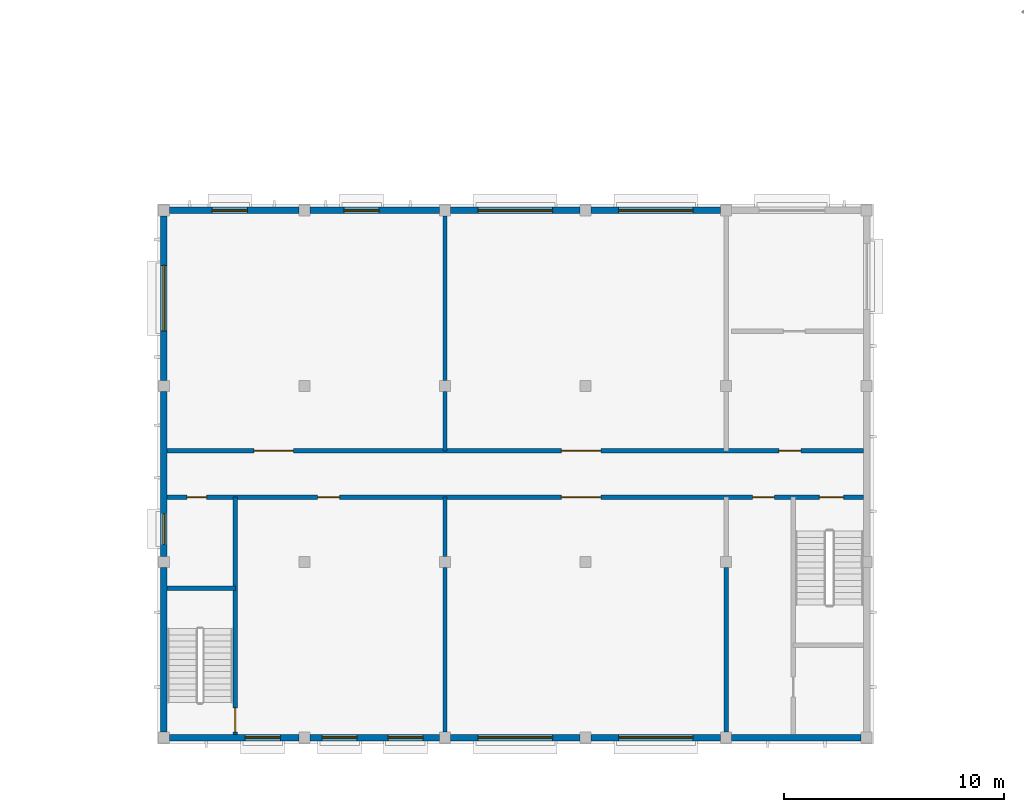
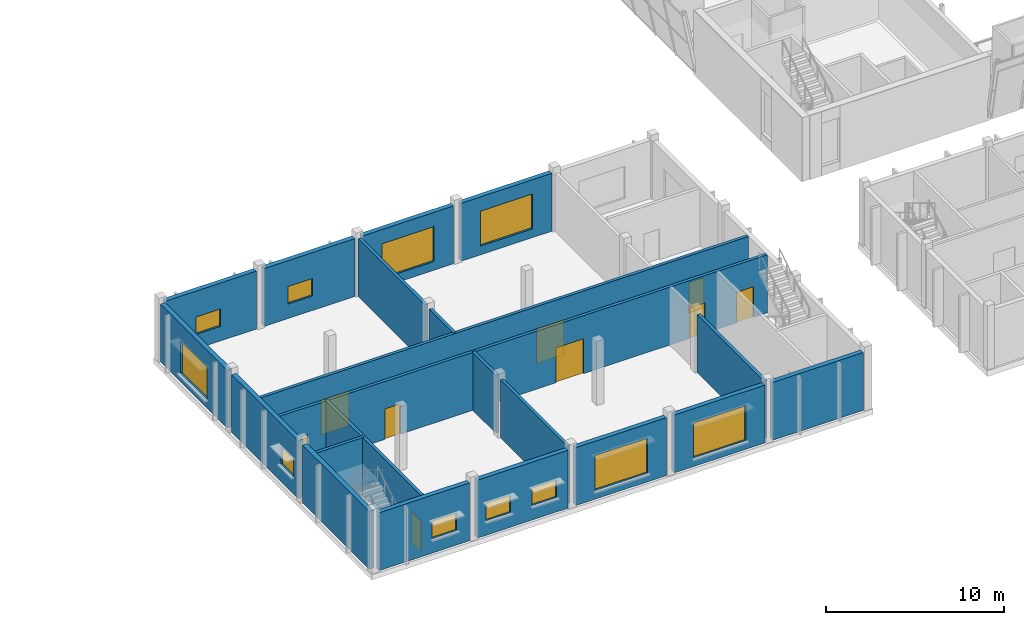
# One storey, part 59 of 115: 21 walls, 11 windows, 9 doors, 20 openings.
"""IFC4 building model written with IfcOpenShell, lengths in metres."""

import ifcopenshell
import ifcopenshell.guid

model = None  # the IFC model being written
_history = None  # IfcOwnerHistory: only IFC2X3 demands one
_inside = {}  # id of a spatial element -> (the spatial element, [elements in it])
_under = {}  # id of a project, library or spatial element -> (it, [spatial elements below it])
_declared = {}  # id of a project -> (the project, [libraries it declares])
_typed = {}  # id of a type object -> (the type object, [elements of that type])
_made_of = {}  # id of a material, layer set ... -> (it, [elements and type objects made of it])


def new_model(schema):
    """Start an empty IFC model of exactly this schema.

    Asked for "IFC4X3", IfcOpenShell would pick the latest addendum, in which some entities
    have other attributes; the version numbers below select the first issue.
    IFC2X3 requires an IfcOwnerHistory on every rooted entity: one is made here for all.
    """
    global model, _history
    if schema == "IFC4X3":
        model = ifcopenshell.file(schema_version=(4, 3, 0, 0))
    else:
        model = ifcopenshell.file(schema=schema)
    _inside.clear()
    _under.clear()
    _declared.clear()
    _typed.clear()
    _made_of.clear()
    _history = None
    if model.schema == "IFC2X3":
        org = make("IfcOrganization", Name="unknown")
        user = make(
            "IfcPersonAndOrganization",
            ThePerson=make("IfcPerson", FamilyName="unknown"),
            TheOrganization=org,
        )
        app = make(
            "IfcApplication",
            ApplicationDeveloper=org,
            Version="unknown",
            ApplicationFullName="unknown",
            ApplicationIdentifier="unknown",
        )
        _history = make(
            "IfcOwnerHistory",
            OwningUser=user,
            OwningApplication=app,
            ChangeAction="ADDED",
            CreationDate=0,
        )
    return model


def make(cls, **values):
    """One entity of the class cls with the attributes given. An attribute that is None is left unset."""
    return model.create_entity(
        cls, **{name: value for name, value in values.items() if value is not None}
    )


def rooted(cls, **values):
    """An entity with a GlobalId (a new one), such as an element, a storey or a relation."""
    return make(cls, GlobalId=ifcopenshell.guid.new(), OwnerHistory=_history, **values)


def si_unit(unit_type, name, prefix=None):
    """IfcSIUnit, for example si_unit("LENGTHUNIT", "METRE", prefix="MILLI")."""
    return make("IfcSIUnit", UnitType=unit_type, Prefix=prefix, Name=name)


def assignment(units):
    """IfcUnitAssignment: the units of a project."""
    return None if units is None else make("IfcUnitAssignment", Units=units)


def point(xyz):
    """IfcCartesianPoint."""
    return None if xyz is None else make("IfcCartesianPoint", Coordinates=xyz)


def direction(xyz):
    """IfcDirection."""
    return None if xyz is None else make("IfcDirection", DirectionRatios=xyz)


def frame(location, z_axis=None, x_axis=None):
    """IfcAxis2Placement3D, a coordinate frame: its origin and axes. An axis left out is left unset."""
    return make(
        "IfcAxis2Placement3D",
        Location=point(location),
        Axis=direction(z_axis),
        RefDirection=direction(x_axis),
    )


def frame_2d(location, x_axis=None):
    """IfcAxis2Placement2D, a coordinate frame in the plane: its origin and x axis."""
    return make(
        "IfcAxis2Placement2D", Location=point(location), RefDirection=direction(x_axis)
    )


def origin():
    """The frame at (0, 0, 0) with its axes left unset."""
    return frame((0.0, 0.0, 0.0))


def place(relative_to, where):
    """IfcLocalPlacement: puts the frame where relative to a parent placement (None: the world)."""
    return make(
        "IfcLocalPlacement", PlacementRelTo=relative_to, RelativePlacement=where
    )


def context(
    kind, dimensions, precision=None, world=None, true_north=None, identifier=None
):
    """IfcGeometricRepresentationContext, for example the 3D "Model" context."""
    return make(
        "IfcGeometricRepresentationContext",
        ContextIdentifier=identifier,
        ContextType=kind,
        CoordinateSpaceDimension=dimensions,
        Precision=precision,
        WorldCoordinateSystem=world,
        TrueNorth=true_north,
    )


def subcontext(parent, identifier, kind, view, scale=None):
    """IfcGeometricRepresentationSubContext, for example "Body" below "Model"."""
    return make(
        "IfcGeometricRepresentationSubContext",
        ContextIdentifier=identifier,
        ContextType=kind,
        ParentContext=parent,
        TargetScale=scale,
        TargetView=view,
    )


def project(units=None, contexts=None):
    """IfcProject with its units and contexts."""
    return rooted(
        "IfcProject",
        Name="project",
        RepresentationContexts=contexts,
        UnitsInContext=assignment(units),
    )


def spatial(cls, under=None, at=None, **own):
    """A site, building, storey or space (cls), placed at a placement, below another one or the project."""
    s = rooted(cls, ObjectPlacement=at, **own)
    if under is not None:
        _under.setdefault(under.id(), (under, []))[1].append(s)
    return s


def profile(cls, at=None, kind="AREA", **sizes):
    """A parametric profile (cls). Its sizes go by their IFC names, for example OverallWidth=200.0."""
    return make(cls, ProfileType=kind, Position=at, **sizes)


def rectangle(**sizes):
    """IfcRectangleProfileDef."""
    return profile("IfcRectangleProfileDef", **sizes)


def extrude(swept, where, along, depth):
    """IfcExtrudedAreaSolid: the profile swept, set in the frame where, extruded along a direction by depth."""
    return make(
        "IfcExtrudedAreaSolid",
        SweptArea=swept,
        Position=where,
        ExtrudedDirection=direction(along),
        Depth=depth,
    )


def shape(context_of_items, identifier, shape_type, items):
    """IfcShapeRepresentation: the items that make up one representation, for example the "Body"."""
    return make(
        "IfcShapeRepresentation",
        ContextOfItems=context_of_items,
        RepresentationIdentifier=identifier,
        RepresentationType=shape_type,
        Items=items,
    )


def material(Name=None, Category=None):
    """IfcMaterial."""
    return make("IfcMaterial", Name=Name, Category=Category)


def layer(
    of_material, thickness, ventilated=None, Name=None, Category=None, Priority=None
):
    """IfcMaterialLayer: one layer of a wall or slab, of a material (None: an air gap)."""
    return make(
        "IfcMaterialLayer",
        Material=of_material,
        LayerThickness=thickness,
        IsVentilated=ventilated,
        Name=Name,
        Category=Category,
        Priority=Priority,
    )


def layer_set(layers, Name=None):
    """IfcMaterialLayerSet."""
    return make("IfcMaterialLayerSet", MaterialLayers=layers, LayerSetName=Name)


def made_of(thing, what):
    """Note that an element or type object is made of a material, layer set ...; save() writes the relation."""
    if what is not None:
        _made_of.setdefault(what.id(), (what, []))[1].append(thing)
    return thing


def type_object(cls, material=None, **own):
    """A type object (cls), such as IfcWallType, which elements share."""
    return made_of(rooted(cls, **own), material)


def element(
    cls,
    number,
    at=None,
    inside=None,
    cuts=None,
    type_object=None,
    material=None,
    context=None,
    identifier="Body",
    shape_type=None,
    held_by="IfcProductDefinitionShape",
    body=None,
    shapes=None,
    **own,
):
    """One element of the class cls, such as IfcWall. Its Tag is "e" and its number.

    at: its placement. inside: the storey or other place that contains it. cuts: it is an
    opening in that element (IfcRelVoidsElement). A single representation is given by context,
    identifier, shape_type and body (its items); several are given by shapes. held_by: the class
    of the entity that holds the representations. save() writes the other relations.
    """
    e = rooted(cls, Tag="e%d" % number, ObjectPlacement=at, **own)
    if body is not None:
        shapes = [shape(context, identifier, shape_type, body)]
    if shapes is not None:
        e.Representation = make(held_by, Representations=shapes)
    if inside is not None:
        _inside.setdefault(inside.id(), (inside, []))[1].append(e)
    if cuts is not None:
        rooted(
            "IfcRelVoidsElement", RelatingBuildingElement=cuts, RelatedOpeningElement=e
        )
    if type_object is not None:
        _typed.setdefault(type_object.id(), (type_object, []))[1].append(e)
    return made_of(e, material)


def fill(opening, filler):
    """IfcRelFillsElement: the door or window that sits in an opening."""
    return rooted(
        "IfcRelFillsElement",
        RelatingOpeningElement=opening,
        RelatedBuildingElement=filler,
    )


def aggregate(whole, parts):
    """IfcRelAggregates: a whole, such as a stair, and the parts it consists of."""
    return rooted("IfcRelAggregates", RelatingObject=whole, RelatedObjects=parts)


def save(model, path):
    """Write the relations noted so far, then the file.

    IfcRelAggregates (storeys below a building ...), IfcRelContainedInSpatialStructure (elements
    in a storey), IfcRelDefinesByType, IfcRelAssociatesMaterial and IfcRelDeclares: one each for
    every whole, place, type object, material and project.
    """
    for whole, parts in _under.values():
        aggregate(whole, parts)
    for where, things in _inside.values():
        rooted(
            "IfcRelContainedInSpatialStructure",
            RelatedElements=things,
            RelatingStructure=where,
        )
    for kind, things in _typed.values():
        rooted("IfcRelDefinesByType", RelatedObjects=things, RelatingType=kind)
    for what, things in _made_of.values():
        rooted("IfcRelAssociatesMaterial", RelatedObjects=things, RelatingMaterial=what)
    for by, libraries in _declared.values():
        rooted("IfcRelDeclares", RelatingContext=by, RelatedDefinitions=libraries)
    model.write(path)


model = new_model("IFC4")

# Units and contexts
model_context = context("Model", 3, precision=1e-05, world=origin(), true_north=direction((0.0, 1.0)))
body_context = subcontext(model_context, "Body", "Model", "MODEL_VIEW")
ifc_project = project(units=[si_unit("LENGTHUNIT", "METRE"), si_unit("AREAUNIT", "SQUARE_METRE"), si_unit("VOLUMEUNIT", "CUBIC_METRE"), si_unit("PLANEANGLEUNIT", "RADIAN"), si_unit("MASSUNIT", "GRAM", prefix="KILO")], contexts=[model_context])

# Site, building, storey
site_placement = place(None, origin())
site = spatial("IfcSite", under=ifc_project, at=site_placement, CompositionType="ELEMENT")
building_placement = place(site_placement, origin())
building = spatial("IfcBuilding", under=site, at=building_placement, Name="Windward Yard Aquatics Centre", CompositionType="ELEMENT")
storey_placement = place(building_placement, frame((0.0, 0.0, 5.0)))
storey = spatial("IfcBuildingStorey", under=building, at=storey_placement, Name="L01", CompositionType="ELEMENT", Elevation=5.0)

# Wall, openings, doors
ifc_material_1 = material(Name="Concrete masonry unit plastered", Category="masonry")
ifc_layer_1 = layer(ifc_material_1, 0.199951171875)
ifc_layer_set_1 = layer_set([ifc_layer_1], Name="P masonry partition 200")
wall_type_1 = type_object("IfcWallType", Name="P masonry partition 200", PredefinedType="PARTITIONING", material=ifc_layer_set_1)
wall_1_placement = place(storey_placement, frame((12.14990234375, 15.949951171875, 0.0), z_axis=(0.0, 0.0, 1.0), x_axis=(1.0, 0.0, 0.0)))
wall_1 = element("IfcWall", 1, at=wall_1_placement, inside=storey, type_object=wall_type_1, Name="P.W.L01.H1.1", PredefinedType="PARTITIONING", context=body_context, shape_type="SweptSolid", body=[
    extrude(rectangle(XDim=31.7001953125, YDim=0.199951171875, at=frame_2d((15.85009765625, 0.0))), origin(), (0.0, 0.0, 1.0), 3.97998046875),
])
opening_1_placement = place(wall_1_placement, frame((0.89990234375, 0.0, 0.0)))
opening_1 = element("IfcOpeningElement", 2, at=opening_1_placement, cuts=wall_1, Name="Opening P1001", PredefinedType="OPENING", context=body_context, shape_type="SweptSolid", body=[
    extrude(rectangle(XDim=0.89990234375, YDim=2.10009765625, at=frame_2d((0.449951171875, 1.050048828125))), frame((0.0, 0.10986328125, 0.0), z_axis=(0.0, -1.0, 0.0), x_axis=(1.0, 0.0, 0.0)), (0.0, 0.0, 1.0), 0.219970703125),
])
opening_2_placement = place(wall_1_placement, frame((6.85009765625, 0.0, 0.0)))
opening_2 = element("IfcOpeningElement", 3, at=opening_2_placement, cuts=wall_1, Name="Opening P1002", PredefinedType="OPENING", context=body_context, shape_type="SweptSolid", body=[
    extrude(rectangle(XDim=1.0, YDim=2.10009765625, at=frame_2d((0.5, 1.050048828125))), frame((0.0, 0.10986328125, 0.0), z_axis=(0.0, -1.0, 0.0), x_axis=(1.0, 0.0, 0.0)), (0.0, 0.0, 1.0), 0.219970703125),
])
opening_3_placement = place(wall_1_placement, frame((17.949951171875, 0.0, 0.0)))
opening_3 = element("IfcOpeningElement", 4, at=opening_3_placement, cuts=wall_1, Name="Opening P1003", PredefinedType="OPENING", context=body_context, shape_type="SweptSolid", body=[
    extrude(rectangle(XDim=1.800048828125, YDim=2.39990234375, at=frame_2d((0.89990234375, 1.199951171875))), frame((0.0, 0.10986328125, 0.0), z_axis=(0.0, -1.0, 0.0), x_axis=(1.0, 0.0, 0.0)), (0.0, 0.0, 1.0), 0.219970703125),
])
opening_4_placement = place(wall_1_placement, frame((26.64990234375, 0.0, 0.0)))
opening_4 = element("IfcOpeningElement", 5, at=opening_4_placement, cuts=wall_1, Name="Opening P1004", PredefinedType="OPENING", context=body_context, shape_type="SweptSolid", body=[
    extrude(rectangle(XDim=1.0, YDim=2.10009765625, at=frame_2d((0.5, 1.050048828125))), frame((0.0, 0.10986328125, 0.0), z_axis=(0.0, -1.0, 0.0), x_axis=(1.0, 0.0, 0.0)), (0.0, 0.0, 1.0), 0.219970703125),
])
opening_5_placement = place(wall_1_placement, frame((29.699951171875, 0.0, 0.0)))
opening_5 = element("IfcOpeningElement", 6, at=opening_5_placement, cuts=wall_1, Name="Opening P1005", PredefinedType="OPENING", context=body_context, shape_type="SweptSolid", body=[
    extrude(rectangle(XDim=1.10009765625, YDim=2.10009765625, at=frame_2d((0.550048828125, 1.050048828125))), frame((0.0, 0.10986328125, 0.0), z_axis=(0.0, -1.0, 0.0), x_axis=(1.0, 0.0, 0.0)), (0.0, 0.0, 1.0), 0.219970703125),
])
ifc_material_2 = material(Name="Timber door leaf in steel frame", Category="steel")
door_type_1 = type_object("IfcDoorType", Name="P door 1000X2100 FD60", OperationType="SINGLE_SWING_LEFT", PredefinedType="DOOR", material=ifc_material_2)
door_1_placement = place(opening_2_placement, origin())
door_1 = element("IfcDoor", 7, at=door_1_placement, inside=storey, type_object=door_type_1, Name="Door P1002", OperationType="SINGLE_SWING_LEFT", OverallHeight=2.10009765625, OverallWidth=1.0, PredefinedType="DOOR", context=body_context, shape_type="SweptSolid", body=[
    extrude(rectangle(XDim=1.0, YDim=2.10009765625, at=frame_2d((0.5, 1.050048828125))), frame((0.0, 0.02490234375, 0.0), z_axis=(0.0, -1.0, 0.0), x_axis=(1.0, 0.0, 0.0)), (0.0, 0.0, 1.0), 0.050048828125),
])
fill(opening_2, door_1)
door_2_placement = place(opening_4_placement, origin())
door_2 = element("IfcDoor", 8, at=door_2_placement, inside=storey, type_object=door_type_1, Name="Door P1004", OperationType="SINGLE_SWING_LEFT", OverallHeight=2.10009765625, OverallWidth=1.0, PredefinedType="DOOR", context=body_context, shape_type="SweptSolid", body=[
    extrude(rectangle(XDim=1.0, YDim=2.10009765625, at=frame_2d((0.5, 1.050048828125))), frame((0.0, 0.02490234375, 0.0), z_axis=(0.0, -1.0, 0.0), x_axis=(1.0, 0.0, 0.0)), (0.0, 0.0, 1.0), 0.050048828125),
])
fill(opening_4, door_2)
door_type_2 = type_object("IfcDoorType", Name="P door 900X2100 FD60", OperationType="SINGLE_SWING_LEFT", PredefinedType="DOOR", material=ifc_material_2)
door_3_placement = place(opening_1_placement, origin())
door_3 = element("IfcDoor", 9, at=door_3_placement, inside=storey, type_object=door_type_2, Name="Door P1001", OperationType="SINGLE_SWING_LEFT", OverallHeight=2.10009765625, OverallWidth=0.89990234375, PredefinedType="DOOR", context=body_context, shape_type="SweptSolid", body=[
    extrude(rectangle(XDim=0.89990234375, YDim=2.10009765625, at=frame_2d((0.449951171875, 1.050048828125))), frame((0.0, 0.02490234375, 0.0), z_axis=(0.0, -1.0, 0.0), x_axis=(1.0, 0.0, 0.0)), (0.0, 0.0, 1.0), 0.050048828125),
])
fill(opening_1, door_3)
door_type_3 = type_object("IfcDoorType", Name="P double door 1800X2400 FD60", OperationType="DOUBLE_DOOR_SINGLE_SWING", PredefinedType="DOOR", material=ifc_material_2)
door_4_placement = place(opening_3_placement, origin())
door_4 = element("IfcDoor", 10, at=door_4_placement, inside=storey, type_object=door_type_3, Name="Door P1003", OperationType="DOUBLE_DOOR_SINGLE_SWING", OverallHeight=2.39990234375, OverallWidth=1.800048828125, PredefinedType="DOOR", context=body_context, shape_type="SweptSolid", body=[
    extrude(rectangle(XDim=1.800048828125, YDim=2.39990234375, at=frame_2d((0.89990234375, 1.199951171875))), frame((0.0, 0.02490234375, 0.0), z_axis=(0.0, -1.0, 0.0), x_axis=(1.0, 0.0, 0.0)), (0.0, 0.0, 1.0), 0.050048828125),
])
fill(opening_3, door_4)
ifc_material_3 = material(Name="Steel door leaf in steel frame", Category="steel")
door_type_4 = type_object("IfcDoorType", Name="P steel door 1100X2100 FD60", OperationType="SINGLE_SWING_LEFT", PredefinedType="DOOR", material=ifc_material_3)
door_5_placement = place(opening_5_placement, origin())
door_5 = element("IfcDoor", 11, at=door_5_placement, inside=storey, type_object=door_type_4, Name="Door P1005", OperationType="SINGLE_SWING_LEFT", OverallHeight=2.10009765625, OverallWidth=1.10009765625, PredefinedType="DOOR", context=body_context, shape_type="SweptSolid", body=[
    extrude(rectangle(XDim=1.10009765625, YDim=2.10009765625, at=frame_2d((0.550048828125, 1.050048828125))), frame((0.0, 0.02490234375, 0.0), z_axis=(0.0, -1.0, 0.0), x_axis=(1.0, 0.0, 0.0)), (0.0, 0.0, 1.0), 0.050048828125),
])
fill(opening_5, door_5)

wall_2_placement = place(storey_placement, frame((12.14990234375, 18.050048828125, 0.0), z_axis=(0.0, 0.0, 1.0), x_axis=(1.0, 0.0, 0.0)))
wall_2 = element("IfcWall", 12, at=wall_2_placement, inside=storey, type_object=wall_type_1, Name="P.W.L01.H2.1", PredefinedType="PARTITIONING", context=body_context, shape_type="SweptSolid", body=[
    extrude(rectangle(XDim=31.7001953125, YDim=0.199951171875, at=frame_2d((15.85009765625, 0.0))), origin(), (0.0, 0.0, 1.0), 3.97998046875),
])
opening_6_placement = place(wall_2_placement, frame((3.949951171875, 0.0, 0.0)))
opening_6 = element("IfcOpeningElement", 13, at=opening_6_placement, cuts=wall_2, Name="Opening P1006", PredefinedType="OPENING", context=body_context, shape_type="SweptSolid", body=[
    extrude(rectangle(XDim=1.800048828125, YDim=2.39990234375, at=frame_2d((0.89990234375, 1.199951171875))), frame((0.0, 0.10986328125, 0.0), z_axis=(0.0, -1.0, 0.0), x_axis=(1.0, 0.0, 0.0)), (0.0, 0.0, 1.0), 0.219970703125),
])
opening_7_placement = place(wall_2_placement, frame((17.949951171875, 0.0, 0.0)))
opening_7 = element("IfcOpeningElement", 14, at=opening_7_placement, cuts=wall_2, Name="Opening P1007", PredefinedType="OPENING", context=body_context, shape_type="SweptSolid", body=[
    extrude(rectangle(XDim=1.800048828125, YDim=2.39990234375, at=frame_2d((0.89990234375, 1.199951171875))), frame((0.0, 0.10986328125, 0.0), z_axis=(0.0, -1.0, 0.0), x_axis=(1.0, 0.0, 0.0)), (0.0, 0.0, 1.0), 0.219970703125),
])
opening_8_placement = place(wall_2_placement, frame((27.85009765625, 0.0, 0.0)))
opening_8 = element("IfcOpeningElement", 15, at=opening_8_placement, cuts=wall_2, Name="Opening P1008", PredefinedType="OPENING", context=body_context, shape_type="SweptSolid", body=[
    extrude(rectangle(XDim=1.0, YDim=2.10009765625, at=frame_2d((0.5, 1.050048828125))), frame((0.0, 0.10986328125, 0.0), z_axis=(0.0, -1.0, 0.0), x_axis=(1.0, 0.0, 0.0)), (0.0, 0.0, 1.0), 0.219970703125),
])
door_6_placement = place(opening_8_placement, origin())
door_6 = element("IfcDoor", 16, at=door_6_placement, inside=storey, type_object=door_type_1, Name="Door P1008", OperationType="SINGLE_SWING_LEFT", OverallHeight=2.10009765625, OverallWidth=1.0, PredefinedType="DOOR", context=body_context, shape_type="SweptSolid", body=[
    extrude(rectangle(XDim=1.0, YDim=2.10009765625, at=frame_2d((0.5, 1.050048828125))), frame((0.0, 0.02490234375, 0.0), z_axis=(0.0, -1.0, 0.0), x_axis=(1.0, 0.0, 0.0)), (0.0, 0.0, 1.0), 0.050048828125),
])
fill(opening_8, door_6)
door_7_placement = place(opening_6_placement, origin())
door_7 = element("IfcDoor", 17, at=door_7_placement, inside=storey, type_object=door_type_3, Name="Door P1006", OperationType="DOUBLE_DOOR_SINGLE_SWING", OverallHeight=2.39990234375, OverallWidth=1.800048828125, PredefinedType="DOOR", context=body_context, shape_type="SweptSolid", body=[
    extrude(rectangle(XDim=1.800048828125, YDim=2.39990234375, at=frame_2d((0.89990234375, 1.199951171875))), frame((0.0, 0.02490234375, 0.0), z_axis=(0.0, -1.0, 0.0), x_axis=(1.0, 0.0, 0.0)), (0.0, 0.0, 1.0), 0.050048828125),
])
fill(opening_6, door_7)
door_8_placement = place(opening_7_placement, origin())
door_8 = element("IfcDoor", 18, at=door_8_placement, inside=storey, type_object=door_type_3, Name="Door P1007", OperationType="DOUBLE_DOOR_SINGLE_SWING", OverallHeight=2.39990234375, OverallWidth=1.800048828125, PredefinedType="DOOR", context=body_context, shape_type="SweptSolid", body=[
    extrude(rectangle(XDim=1.800048828125, YDim=2.39990234375, at=frame_2d((0.89990234375, 1.199951171875))), frame((0.0, 0.02490234375, 0.0), z_axis=(0.0, -1.0, 0.0), x_axis=(1.0, 0.0, 0.0)), (0.0, 0.0, 1.0), 0.050048828125),
])
fill(opening_7, door_8)

# Walls
wall_3_placement = place(storey_placement, frame((24.800048828125, 5.25, 0.0), z_axis=(0.0, 0.0, 1.0), x_axis=(0.0, 1.0, 0.0)))
element("IfcWall", 19, at=wall_3_placement, inside=storey, type_object=wall_type_1, Name="P.W.L01.V2.1", PredefinedType="PARTITIONING", context=body_context, shape_type="SweptSolid", body=[
    extrude(rectangle(XDim=7.5, YDim=0.199951171875, at=frame_2d((3.75, 0.0))), origin(), (0.0, 0.0, 1.0), 3.97998046875),
])
wall_4_placement = place(storey_placement, frame((24.800048828125, 13.25, 0.0), z_axis=(0.0, 0.0, 1.0), x_axis=(0.0, 1.0, 0.0)))
element("IfcWall", 20, at=wall_4_placement, inside=storey, type_object=wall_type_1, Name="P.W.L01.V2.2", PredefinedType="PARTITIONING", context=body_context, shape_type="SweptSolid", body=[
    extrude(rectangle(XDim=2.699951171875, YDim=0.199951171875, at=frame_2d((1.35009765625, 0.0))), origin(), (0.0, 0.0, 1.0), 3.97998046875),
])
wall_5_placement = place(storey_placement, frame((37.60009765625, 5.25, 0.0), z_axis=(0.0, 0.0, 1.0), x_axis=(0.0, 1.0, 0.0)))
element("IfcWall", 21, at=wall_5_placement, inside=storey, type_object=wall_type_1, Name="P.W.L01.V3.1", PredefinedType="PARTITIONING", context=body_context, shape_type="SweptSolid", body=[
    extrude(rectangle(XDim=7.5, YDim=0.199951171875, at=frame_2d((3.75, 0.0))), origin(), (0.0, 0.0, 1.0), 3.97998046875),
])
wall_6_placement = place(storey_placement, frame((24.800048828125, 18.050048828125, 0.0), z_axis=(0.0, 0.0, 1.0), x_axis=(0.0, 1.0, 0.0)))
element("IfcWall", 22, at=wall_6_placement, inside=storey, type_object=wall_type_1, Name="P.W.L01.V5.1", PredefinedType="PARTITIONING", context=body_context, shape_type="SweptSolid", body=[
    extrude(rectangle(XDim=2.699951171875, YDim=0.199951171875, at=frame_2d((1.35009765625, 0.0))), origin(), (0.0, 0.0, 1.0), 3.97998046875),
])
wall_7_placement = place(storey_placement, frame((24.800048828125, 21.25, 0.0), z_axis=(0.0, 0.0, 1.0), x_axis=(0.0, 1.0, 0.0)))
element("IfcWall", 23, at=wall_7_placement, inside=storey, type_object=wall_type_1, Name="P.W.L01.V5.2", PredefinedType="PARTITIONING", context=body_context, shape_type="SweptSolid", body=[
    extrude(rectangle(XDim=7.5, YDim=0.199951171875, at=frame_2d((3.75, 0.0))), origin(), (0.0, 0.0, 1.0), 3.97998046875),
])

# Wall, opening, window
ifc_material_4 = material(Name="Concrete C35/45", Category="concrete")
ifc_layer_2 = layer(ifc_material_4, 0.300048828125)
ifc_layer_set_2 = layer_set([ifc_layer_2], Name="P plant external wall 300")
wall_type_2 = type_object("IfcWallType", Name="P plant external wall 300", PredefinedType="SOLIDWALL", material=ifc_layer_set_2)
wall_8_placement = place(storey_placement, frame((12.25, 5.0, 0.0), z_axis=(0.0, 0.0, 1.0), x_axis=(1.0, 0.0, 0.0)))
wall_8 = element("IfcWall", 24, at=wall_8_placement, inside=storey, type_object=wall_type_2, Name="P.W.L01.S1", PredefinedType="SOLIDWALL", context=body_context, shape_type="SweptSolid", body=[
    extrude(rectangle(XDim=5.89990234375, YDim=0.300048828125, at=frame_2d((2.949951171875, 0.0))), origin(), (0.0, 0.0, 1.0), 3.97998046875),
])
opening_9_placement = place(wall_8_placement, frame((3.449951171875, 0.0, 1.0)))
opening_9 = element("IfcOpeningElement", 25, at=opening_9_placement, cuts=wall_8, Name="Opening PW1009", PredefinedType="OPENING", context=body_context, shape_type="SweptSolid", body=[
    extrude(rectangle(XDim=1.60009765625, YDim=1.199951171875, at=frame_2d((0.800048828125, 0.60009765625))), frame((0.0, 0.16015625, 0.0), z_axis=(0.0, -1.0, 0.0), x_axis=(1.0, 0.0, 0.0)), (0.0, 0.0, 1.0), 0.320068359375),
])
ifc_material_5 = material(Name="Aluminium framed double glazing", Category="aluminium")
window_type_1 = type_object("IfcWindowType", Name="P window 1600X1200", PartitioningType="SINGLE_PANEL", PredefinedType="WINDOW", material=ifc_material_5)
window_1_placement = place(opening_9_placement, origin())
window_1 = element("IfcWindow", 26, at=window_1_placement, inside=storey, type_object=window_type_1, Name="Window PW1009", OverallHeight=1.199951171875, OverallWidth=1.60009765625, PartitioningType="SINGLE_PANEL", PredefinedType="WINDOW", context=body_context, shape_type="SweptSolid", body=[
    extrude(rectangle(XDim=1.60009765625, YDim=1.199951171875, at=frame_2d((0.800048828125, 0.60009765625))), frame((0.0, 0.030029296875, 0.0), z_axis=(0.0, -1.0, 0.0), x_axis=(1.0, 0.0, 0.0)), (0.0, 0.0, 1.0), 0.06005859375),
])
fill(opening_9, window_1)

# Wall, openings, windows
wall_9_placement = place(storey_placement, frame((18.64990234375, 5.0, 0.0), z_axis=(0.0, 0.0, 1.0), x_axis=(1.0, 0.0, 0.0)))
wall_9 = element("IfcWall", 27, at=wall_9_placement, inside=storey, type_object=wall_type_2, Name="P.W.L01.S2", PredefinedType="SOLIDWALL", context=body_context, shape_type="SweptSolid", body=[
    extrude(rectangle(XDim=5.900146484375, YDim=0.300048828125, at=frame_2d((2.9501953125, 0.0))), origin(), (0.0, 0.0, 1.0), 3.97998046875),
])
opening_10_placement = place(wall_9_placement, frame((0.550048828125, 0.0, 1.0)))
opening_10 = element("IfcOpeningElement", 28, at=opening_10_placement, cuts=wall_9, Name="Opening PW1010", PredefinedType="OPENING", context=body_context, shape_type="SweptSolid", body=[
    extrude(rectangle(XDim=1.60009765625, YDim=1.199951171875, at=frame_2d((0.800048828125, 0.60009765625))), frame((0.0, 0.16015625, 0.0), z_axis=(0.0, -1.0, 0.0), x_axis=(1.0, 0.0, 0.0)), (0.0, 0.0, 1.0), 0.320068359375),
])
opening_11_placement = place(wall_9_placement, frame((3.550048828125, 0.0, 1.0)))
opening_11 = element("IfcOpeningElement", 29, at=opening_11_placement, cuts=wall_9, Name="Opening PW1011", PredefinedType="OPENING", context=body_context, shape_type="SweptSolid", body=[
    extrude(rectangle(XDim=1.60009765625, YDim=1.199951171875, at=frame_2d((0.800048828125, 0.60009765625))), frame((0.0, 0.16015625, 0.0), z_axis=(0.0, -1.0, 0.0), x_axis=(1.0, 0.0, 0.0)), (0.0, 0.0, 1.0), 0.320068359375),
])
window_2_placement = place(opening_10_placement, origin())
window_2 = element("IfcWindow", 30, at=window_2_placement, inside=storey, type_object=window_type_1, Name="Window PW1010", OverallHeight=1.199951171875, OverallWidth=1.60009765625, PartitioningType="SINGLE_PANEL", PredefinedType="WINDOW", context=body_context, shape_type="SweptSolid", body=[
    extrude(rectangle(XDim=1.60009765625, YDim=1.199951171875, at=frame_2d((0.800048828125, 0.60009765625))), frame((0.0, 0.030029296875, 0.0), z_axis=(0.0, -1.0, 0.0), x_axis=(1.0, 0.0, 0.0)), (0.0, 0.0, 1.0), 0.06005859375),
])
fill(opening_10, window_2)
window_3_placement = place(opening_11_placement, origin())
window_3 = element("IfcWindow", 31, at=window_3_placement, inside=storey, type_object=window_type_1, Name="Window PW1011", OverallHeight=1.199951171875, OverallWidth=1.60009765625, PartitioningType="SINGLE_PANEL", PredefinedType="WINDOW", context=body_context, shape_type="SweptSolid", body=[
    extrude(rectangle(XDim=1.60009765625, YDim=1.199951171875, at=frame_2d((0.800048828125, 0.60009765625))), frame((0.0, 0.030029296875, 0.0), z_axis=(0.0, -1.0, 0.0), x_axis=(1.0, 0.0, 0.0)), (0.0, 0.0, 1.0), 0.06005859375),
])
fill(opening_11, window_3)

# Wall, opening, window
wall_10_placement = place(storey_placement, frame((25.050048828125, 5.0, 0.0), z_axis=(0.0, 0.0, 1.0), x_axis=(1.0, 0.0, 0.0)))
wall_10 = element("IfcWall", 32, at=wall_10_placement, inside=storey, type_object=wall_type_2, Name="P.W.L01.S3", PredefinedType="SOLIDWALL", context=body_context, shape_type="SweptSolid", body=[
    extrude(rectangle(XDim=5.89990234375, YDim=0.300048828125, at=frame_2d((2.949951171875, 0.0))), origin(), (0.0, 0.0, 1.0), 3.97998046875),
])
opening_12_placement = place(wall_10_placement, frame((1.25, 0.0, 0.60009765625)))
opening_12 = element("IfcOpeningElement", 33, at=opening_12_placement, cuts=wall_10, Name="Opening PW1001", PredefinedType="OPENING", context=body_context, shape_type="SweptSolid", body=[
    extrude(rectangle(XDim=3.39990234375, YDim=2.39990234375, at=frame_2d((1.699951171875, 1.199951171875))), frame((0.0, 0.16015625, 0.0), z_axis=(0.0, -1.0, 0.0), x_axis=(1.0, 0.0, 0.0)), (0.0, 0.0, 1.0), 0.320068359375),
])
ifc_material_6 = material(Name="Aluminium storm louvre", Category="aluminium")
window_type_2 = type_object("IfcWindowType", Name="P louvre 3400X2400", PartitioningType="NOTDEFINED", PredefinedType="USERDEFINED", material=ifc_material_6)
window_4_placement = place(opening_12_placement, origin())
window_4 = element("IfcWindow", 34, at=window_4_placement, inside=storey, type_object=window_type_2, Name="Louvre PW1001", ObjectType="STORM LOUVRE", OverallHeight=2.39990234375, OverallWidth=3.39990234375, PartitioningType="SINGLE_PANEL", PredefinedType="USERDEFINED", context=body_context, shape_type="SweptSolid", body=[
    extrude(rectangle(XDim=3.39990234375, YDim=2.39990234375, at=frame_2d((1.699951171875, 1.199951171875))), frame((0.0, 0.030029296875, 0.0), z_axis=(0.0, -1.0, 0.0), x_axis=(1.0, 0.0, 0.0)), (0.0, 0.0, 1.0), 0.06005859375),
])
fill(opening_12, window_4)

wall_11_placement = place(storey_placement, frame((31.449951171875, 5.0, 0.0), z_axis=(0.0, 0.0, 1.0), x_axis=(1.0, 0.0, 0.0)))
wall_11 = element("IfcWall", 35, at=wall_11_placement, inside=storey, type_object=wall_type_2, Name="P.W.L01.S4", PredefinedType="SOLIDWALL", context=body_context, shape_type="SweptSolid", body=[
    extrude(rectangle(XDim=5.900146484375, YDim=0.300048828125, at=frame_2d((2.9501953125, 0.0))), origin(), (0.0, 0.0, 1.0), 3.97998046875),
])
opening_13_placement = place(wall_11_placement, frame((1.25, 0.0, 0.60009765625)))
opening_13 = element("IfcOpeningElement", 36, at=opening_13_placement, cuts=wall_11, Name="Opening PW1002", PredefinedType="OPENING", context=body_context, shape_type="SweptSolid", body=[
    extrude(rectangle(XDim=3.39990234375, YDim=2.39990234375, at=frame_2d((1.699951171875, 1.199951171875))), frame((0.0, 0.16015625, 0.0), z_axis=(0.0, -1.0, 0.0), x_axis=(1.0, 0.0, 0.0)), (0.0, 0.0, 1.0), 0.320068359375),
])
window_5_placement = place(opening_13_placement, origin())
window_5 = element("IfcWindow", 37, at=window_5_placement, inside=storey, type_object=window_type_2, Name="Louvre PW1002", ObjectType="STORM LOUVRE", OverallHeight=2.39990234375, OverallWidth=3.39990234375, PartitioningType="SINGLE_PANEL", PredefinedType="USERDEFINED", context=body_context, shape_type="SweptSolid", body=[
    extrude(rectangle(XDim=3.39990234375, YDim=2.39990234375, at=frame_2d((1.699951171875, 1.199951171875))), frame((0.0, 0.030029296875, 0.0), z_axis=(0.0, -1.0, 0.0), x_axis=(1.0, 0.0, 0.0)), (0.0, 0.0, 1.0), 0.06005859375),
])
fill(opening_13, window_5)

# Wall
wall_12_placement = place(storey_placement, frame((37.85009765625, 5.0, 0.0), z_axis=(0.0, 0.0, 1.0), x_axis=(1.0, 0.0, 0.0)))
element("IfcWall", 38, at=wall_12_placement, inside=storey, type_object=wall_type_2, Name="P.W.L01.S5", PredefinedType="SOLIDWALL", context=body_context, shape_type="SweptSolid", body=[
    extrude(rectangle(XDim=5.89990234375, YDim=0.300048828125, at=frame_2d((2.949951171875, 0.0))), origin(), (0.0, 0.0, 1.0), 3.97998046875),
])

# Wall, opening, window
wall_13_placement = place(storey_placement, frame((12.25, 29.0, 0.0), z_axis=(0.0, 0.0, 1.0), x_axis=(1.0, 0.0, 0.0)))
wall_13 = element("IfcWall", 39, at=wall_13_placement, inside=storey, type_object=wall_type_2, Name="P.W.L01.N1", PredefinedType="SOLIDWALL", context=body_context, shape_type="SweptSolid", body=[
    extrude(rectangle(XDim=5.89990234375, YDim=0.300048828125, at=frame_2d((2.949951171875, 0.0))), origin(), (0.0, 0.0, 1.0), 3.97998046875),
])
opening_14_placement = place(wall_13_placement, frame((1.949951171875, 0.0, 1.0)))
opening_14 = element("IfcOpeningElement", 40, at=opening_14_placement, cuts=wall_13, Name="Opening PW1012", PredefinedType="OPENING", context=body_context, shape_type="SweptSolid", body=[
    extrude(rectangle(XDim=1.60009765625, YDim=1.199951171875, at=frame_2d((0.800048828125, 0.60009765625))), frame((0.0, 0.16015625, 0.0), z_axis=(0.0, -1.0, 0.0), x_axis=(1.0, 0.0, 0.0)), (0.0, 0.0, 1.0), 0.320068359375),
])
window_6_placement = place(opening_14_placement, origin())
window_6 = element("IfcWindow", 41, at=window_6_placement, inside=storey, type_object=window_type_1, Name="Window PW1012", OverallHeight=1.199951171875, OverallWidth=1.60009765625, PartitioningType="SINGLE_PANEL", PredefinedType="WINDOW", context=body_context, shape_type="SweptSolid", body=[
    extrude(rectangle(XDim=1.60009765625, YDim=1.199951171875, at=frame_2d((0.800048828125, 0.60009765625))), frame((0.0, 0.030029296875, 0.0), z_axis=(0.0, -1.0, 0.0), x_axis=(1.0, 0.0, 0.0)), (0.0, 0.0, 1.0), 0.06005859375),
])
fill(opening_14, window_6)

wall_14_placement = place(storey_placement, frame((18.64990234375, 29.0, 0.0), z_axis=(0.0, 0.0, 1.0), x_axis=(1.0, 0.0, 0.0)))
wall_14 = element("IfcWall", 42, at=wall_14_placement, inside=storey, type_object=wall_type_2, Name="P.W.L01.N2", PredefinedType="SOLIDWALL", context=body_context, shape_type="SweptSolid", body=[
    extrude(rectangle(XDim=5.900146484375, YDim=0.300048828125, at=frame_2d((2.9501953125, 0.0))), origin(), (0.0, 0.0, 1.0), 3.97998046875),
])
opening_15_placement = place(wall_14_placement, frame((1.550048828125, 0.0, 1.0)))
opening_15 = element("IfcOpeningElement", 43, at=opening_15_placement, cuts=wall_14, Name="Opening PW1013", PredefinedType="OPENING", context=body_context, shape_type="SweptSolid", body=[
    extrude(rectangle(XDim=1.60009765625, YDim=1.199951171875, at=frame_2d((0.800048828125, 0.60009765625))), frame((0.0, 0.16015625, 0.0), z_axis=(0.0, -1.0, 0.0), x_axis=(1.0, 0.0, 0.0)), (0.0, 0.0, 1.0), 0.320068359375),
])
window_7_placement = place(opening_15_placement, origin())
window_7 = element("IfcWindow", 44, at=window_7_placement, inside=storey, type_object=window_type_1, Name="Window PW1013", OverallHeight=1.199951171875, OverallWidth=1.60009765625, PartitioningType="SINGLE_PANEL", PredefinedType="WINDOW", context=body_context, shape_type="SweptSolid", body=[
    extrude(rectangle(XDim=1.60009765625, YDim=1.199951171875, at=frame_2d((0.800048828125, 0.60009765625))), frame((0.0, 0.030029296875, 0.0), z_axis=(0.0, -1.0, 0.0), x_axis=(1.0, 0.0, 0.0)), (0.0, 0.0, 1.0), 0.06005859375),
])
fill(opening_15, window_7)

wall_15_placement = place(storey_placement, frame((25.050048828125, 29.0, 0.0), z_axis=(0.0, 0.0, 1.0), x_axis=(1.0, 0.0, 0.0)))
wall_15 = element("IfcWall", 45, at=wall_15_placement, inside=storey, type_object=wall_type_2, Name="P.W.L01.N3", PredefinedType="SOLIDWALL", context=body_context, shape_type="SweptSolid", body=[
    extrude(rectangle(XDim=5.89990234375, YDim=0.300048828125, at=frame_2d((2.949951171875, 0.0))), origin(), (0.0, 0.0, 1.0), 3.97998046875),
])
opening_16_placement = place(wall_15_placement, frame((1.25, 0.0, 0.60009765625)))
opening_16 = element("IfcOpeningElement", 46, at=opening_16_placement, cuts=wall_15, Name="Opening PW1003", PredefinedType="OPENING", context=body_context, shape_type="SweptSolid", body=[
    extrude(rectangle(XDim=3.39990234375, YDim=2.39990234375, at=frame_2d((1.699951171875, 1.199951171875))), frame((0.0, 0.16015625, 0.0), z_axis=(0.0, -1.0, 0.0), x_axis=(1.0, 0.0, 0.0)), (0.0, 0.0, 1.0), 0.320068359375),
])
window_8_placement = place(opening_16_placement, origin())
window_8 = element("IfcWindow", 47, at=window_8_placement, inside=storey, type_object=window_type_2, Name="Louvre PW1003", ObjectType="STORM LOUVRE", OverallHeight=2.39990234375, OverallWidth=3.39990234375, PartitioningType="SINGLE_PANEL", PredefinedType="USERDEFINED", context=body_context, shape_type="SweptSolid", body=[
    extrude(rectangle(XDim=3.39990234375, YDim=2.39990234375, at=frame_2d((1.699951171875, 1.199951171875))), frame((0.0, 0.030029296875, 0.0), z_axis=(0.0, -1.0, 0.0), x_axis=(1.0, 0.0, 0.0)), (0.0, 0.0, 1.0), 0.06005859375),
])
fill(opening_16, window_8)

wall_16_placement = place(storey_placement, frame((31.449951171875, 29.0, 0.0), z_axis=(0.0, 0.0, 1.0), x_axis=(1.0, 0.0, 0.0)))
wall_16 = element("IfcWall", 48, at=wall_16_placement, inside=storey, type_object=wall_type_2, Name="P.W.L01.N4", PredefinedType="SOLIDWALL", context=body_context, shape_type="SweptSolid", body=[
    extrude(rectangle(XDim=5.900146484375, YDim=0.300048828125, at=frame_2d((2.9501953125, 0.0))), origin(), (0.0, 0.0, 1.0), 3.97998046875),
])
opening_17_placement = place(wall_16_placement, frame((1.25, 0.0, 0.60009765625)))
opening_17 = element("IfcOpeningElement", 49, at=opening_17_placement, cuts=wall_16, Name="Opening PW1004", PredefinedType="OPENING", context=body_context, shape_type="SweptSolid", body=[
    extrude(rectangle(XDim=3.39990234375, YDim=2.39990234375, at=frame_2d((1.699951171875, 1.199951171875))), frame((0.0, 0.16015625, 0.0), z_axis=(0.0, -1.0, 0.0), x_axis=(1.0, 0.0, 0.0)), (0.0, 0.0, 1.0), 0.320068359375),
])
window_9_placement = place(opening_17_placement, origin())
window_9 = element("IfcWindow", 50, at=window_9_placement, inside=storey, type_object=window_type_2, Name="Louvre PW1004", ObjectType="STORM LOUVRE", OverallHeight=2.39990234375, OverallWidth=3.39990234375, PartitioningType="SINGLE_PANEL", PredefinedType="USERDEFINED", context=body_context, shape_type="SweptSolid", body=[
    extrude(rectangle(XDim=3.39990234375, YDim=2.39990234375, at=frame_2d((1.699951171875, 1.199951171875))), frame((0.0, 0.030029296875, 0.0), z_axis=(0.0, -1.0, 0.0), x_axis=(1.0, 0.0, 0.0)), (0.0, 0.0, 1.0), 0.06005859375),
])
fill(opening_17, window_9)

# Wall
wall_17_placement = place(storey_placement, frame((12.0, 5.25, 0.0), z_axis=(0.0, 0.0, 1.0), x_axis=(0.0, 1.0, 0.0)))
element("IfcWall", 51, at=wall_17_placement, inside=storey, type_object=wall_type_2, Name="P.W.L01.W1", PredefinedType="SOLIDWALL", context=body_context, shape_type="SweptSolid", body=[
    extrude(rectangle(XDim=7.5, YDim=0.300048828125, at=frame_2d((3.75, 0.0))), origin(), (0.0, 0.0, 1.0), 3.97998046875),
])

# Wall, opening, window
wall_18_placement = place(storey_placement, frame((12.0, 13.25, 0.0), z_axis=(0.0, 0.0, 1.0), x_axis=(0.0, 1.0, 0.0)))
wall_18 = element("IfcWall", 52, at=wall_18_placement, inside=storey, type_object=wall_type_2, Name="P.W.L01.W2", PredefinedType="SOLIDWALL", context=body_context, shape_type="SweptSolid", body=[
    extrude(rectangle(XDim=7.5, YDim=0.300048828125, at=frame_2d((3.75, 0.0))), origin(), (0.0, 0.0, 1.0), 3.97998046875),
])
opening_18_placement = place(wall_18_placement, frame((0.550048828125, 0.0, 1.199951171875)))
opening_18 = element("IfcOpeningElement", 53, at=opening_18_placement, cuts=wall_18, Name="Opening PW1008", PredefinedType="OPENING", context=body_context, shape_type="SweptSolid", body=[
    extrude(rectangle(XDim=1.39990234375, YDim=1.199951171875, at=frame_2d((0.699951171875, 0.60009765625))), frame((0.0, 0.16015625, 0.0), z_axis=(0.0, -1.0, 0.0), x_axis=(1.0, 0.0, 0.0)), (0.0, 0.0, 1.0), 0.320068359375),
])
window_type_3 = type_object("IfcWindowType", Name="P louvre 1400X1200", PartitioningType="NOTDEFINED", PredefinedType="USERDEFINED", material=ifc_material_6)
window_10_placement = place(opening_18_placement, origin())
window_10 = element("IfcWindow", 54, at=window_10_placement, inside=storey, type_object=window_type_3, Name="Louvre PW1008", ObjectType="STORM LOUVRE", OverallHeight=1.199951171875, OverallWidth=1.39990234375, PartitioningType="SINGLE_PANEL", PredefinedType="USERDEFINED", context=body_context, shape_type="SweptSolid", body=[
    extrude(rectangle(XDim=1.39990234375, YDim=1.199951171875, at=frame_2d((0.699951171875, 0.60009765625))), frame((0.0, 0.030029296875, 0.0), z_axis=(0.0, -1.0, 0.0), x_axis=(1.0, 0.0, 0.0)), (0.0, 0.0, 1.0), 0.06005859375),
])
fill(opening_18, window_10)

wall_19_placement = place(storey_placement, frame((12.0, 21.25, 0.0), z_axis=(0.0, 0.0, 1.0), x_axis=(0.0, 1.0, 0.0)))
wall_19 = element("IfcWall", 55, at=wall_19_placement, inside=storey, type_object=wall_type_2, Name="P.W.L01.W3", PredefinedType="SOLIDWALL", context=body_context, shape_type="SweptSolid", body=[
    extrude(rectangle(XDim=7.5, YDim=0.300048828125, at=frame_2d((3.75, 0.0))), origin(), (0.0, 0.0, 1.0), 3.97998046875),
])
opening_19_placement = place(wall_19_placement, frame((2.25, 0.0, 0.60009765625)))
opening_19 = element("IfcOpeningElement", 56, at=opening_19_placement, cuts=wall_19, Name="Opening PW1007", PredefinedType="OPENING", context=body_context, shape_type="SweptSolid", body=[
    extrude(rectangle(XDim=3.0, YDim=2.199951171875, at=frame_2d((1.5, 1.10009765625))), frame((0.0, 0.16015625, 0.0), z_axis=(0.0, -1.0, 0.0), x_axis=(1.0, 0.0, 0.0)), (0.0, 0.0, 1.0), 0.320068359375),
])
window_type_4 = type_object("IfcWindowType", Name="P louvre 3000X2200", PartitioningType="NOTDEFINED", PredefinedType="USERDEFINED", material=ifc_material_6)
window_11_placement = place(opening_19_placement, origin())
window_11 = element("IfcWindow", 57, at=window_11_placement, inside=storey, type_object=window_type_4, Name="Louvre PW1007", ObjectType="STORM LOUVRE", OverallHeight=2.199951171875, OverallWidth=3.0, PartitioningType="SINGLE_PANEL", PredefinedType="USERDEFINED", context=body_context, shape_type="SweptSolid", body=[
    extrude(rectangle(XDim=3.0, YDim=2.199951171875, at=frame_2d((1.5, 1.10009765625))), frame((0.0, 0.030029296875, 0.0), z_axis=(0.0, -1.0, 0.0), x_axis=(1.0, 0.0, 0.0)), (0.0, 0.0, 1.0), 0.06005859375),
])
fill(opening_19, window_11)

# Wall, opening, door
ifc_layer_3 = layer(ifc_material_4, 0.199951171875)
ifc_layer_set_3 = layer_set([ifc_layer_3], Name="P stair enclosure wall 200")
wall_type_3 = type_object("IfcWallType", Name="P stair enclosure wall 200", PredefinedType="SOLIDWALL", material=ifc_layer_set_3)
wall_20_placement = place(storey_placement, frame((15.25, 5.14990234375, 0.0), z_axis=(0.0, 0.0, 1.0), x_axis=(0.0, 1.0, 0.0)))
wall_20 = element("IfcWall", 58, at=wall_20_placement, inside=storey, type_object=wall_type_3, Name="P.W.L01.V1.1", PredefinedType="SOLIDWALL", context=body_context, shape_type="SweptSolid", body=[
    extrude(rectangle(XDim=10.800048828125, YDim=0.199951171875, at=frame_2d((5.39990234375, 0.0))), origin(), (0.0, 0.0, 1.0), 3.97998046875),
])
opening_20_placement = place(wall_20_placement, frame((0.10009765625, 0.0, 0.0)))
opening_20 = element("IfcOpeningElement", 59, at=opening_20_placement, cuts=wall_20, Name="Opening P1011", PredefinedType="OPENING", context=body_context, shape_type="SweptSolid", body=[
    extrude(rectangle(XDim=1.10009765625, YDim=2.10009765625, at=frame_2d((0.550048828125, 1.050048828125))), frame((0.0, 0.10986328125, 0.0), z_axis=(0.0, -1.0, 0.0), x_axis=(1.0, 0.0, 0.0)), (0.0, 0.0, 1.0), 0.219970703125),
])
door_9_placement = place(opening_20_placement, origin())
door_9 = element("IfcDoor", 60, at=door_9_placement, inside=storey, type_object=door_type_4, Name="Door P1011", OperationType="SINGLE_SWING_LEFT", OverallHeight=2.10009765625, OverallWidth=1.10009765625, PredefinedType="DOOR", context=body_context, shape_type="SweptSolid", body=[
    extrude(rectangle(XDim=1.10009765625, YDim=2.10009765625, at=frame_2d((0.550048828125, 1.050048828125))), frame((0.0, 0.02490234375, 0.0), z_axis=(0.0, -1.0, 0.0), x_axis=(1.0, 0.0, 0.0)), (0.0, 0.0, 1.0), 0.050048828125),
])
fill(opening_20, door_9)

# Wall
wall_21_placement = place(storey_placement, frame((12.14990234375, 11.800048828125, 0.0), z_axis=(0.0, 0.0, 1.0), x_axis=(1.0, 0.0, 0.0)))
element("IfcWall", 61, at=wall_21_placement, inside=storey, type_object=wall_type_3, Name="P.W.L01.H4.1", PredefinedType="SOLIDWALL", context=body_context, shape_type="SweptSolid", body=[
    extrude(rectangle(XDim=3.10009765625, YDim=0.199951171875, at=frame_2d((1.550048828125, 0.0))), origin(), (0.0, 0.0, 1.0), 3.97998046875),
])

save(model, "model.ifc")
